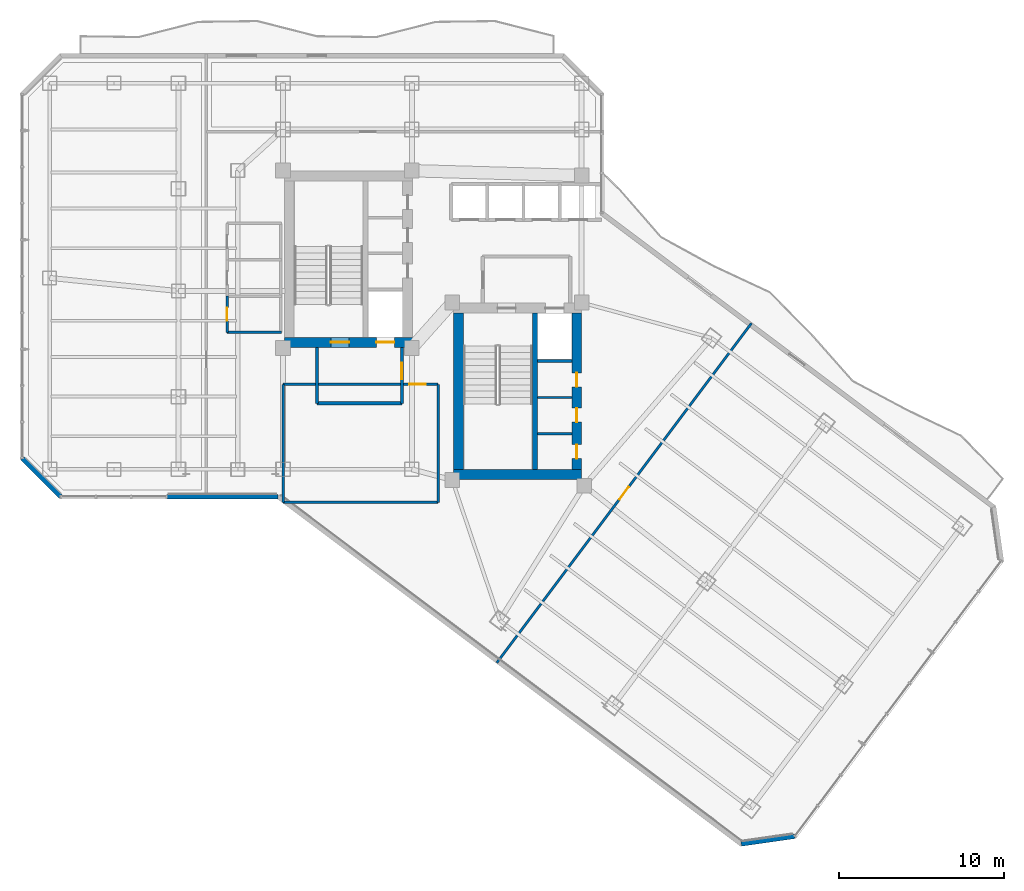
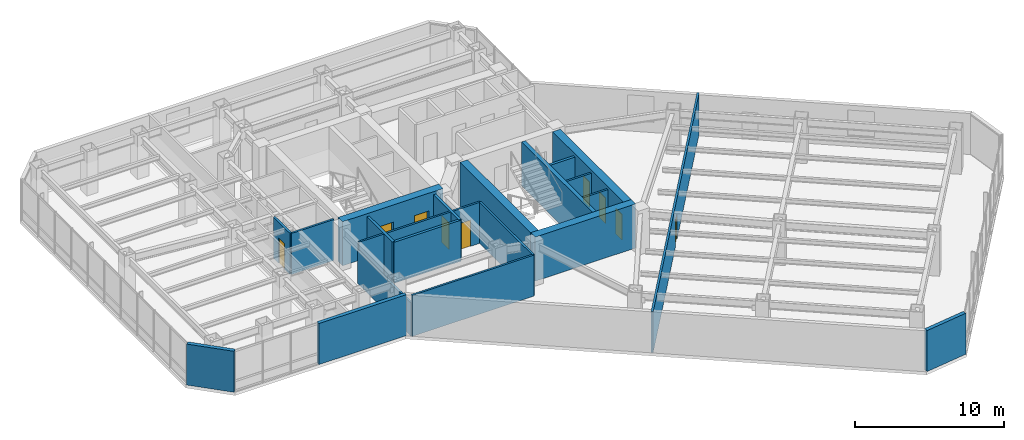
# One storey, part 22 of 29: 21 walls, 9 doors, 9 openings.
"""IFC4 building model written with IfcOpenShell, lengths in metres."""

from ifc_helpers import new_model, si_unit, direction, frame, frame_2d, origin, place, context, subcontext, project, spatial, rectangle, extrude, material, layer, layer_set, type_object, element, fill, save


model = new_model("IFC4")

# Units and contexts
model_context = context("Model", 3, precision=1e-05, world=origin(), true_north=direction((0.0, 1.0)))
body_context = subcontext(model_context, "Body", "Model", "MODEL_VIEW")
ifc_project = project(units=[si_unit("LENGTHUNIT", "METRE"), si_unit("AREAUNIT", "SQUARE_METRE"), si_unit("VOLUMEUNIT", "CUBIC_METRE"), si_unit("PLANEANGLEUNIT", "RADIAN"), si_unit("MASSUNIT", "GRAM", prefix="KILO")], contexts=[model_context])

# Site, building, storey
site_placement = place(None, origin())
site = spatial("IfcSite", under=ifc_project, at=site_placement, CompositionType="ELEMENT")
building_placement = place(site_placement, origin())
building = spatial("IfcBuilding", under=site, at=building_placement, Name="Hatsunagi Terrace Concourse", CompositionType="ELEMENT")
storey_placement = place(building_placement, frame((0.0, 0.0, 104.85009765625)))
storey = spatial("IfcBuildingStorey", under=building, at=storey_placement, Name="L27", CompositionType="ELEMENT", Elevation=104.85009765625)

# Wall, openings, doors
ifc_material_1 = material(Name="Concrete Fc48", Category="concrete")
ifc_layer_1 = layer(ifc_material_1, 0.60009765625)
ifc_layer_set_1 = layer_set([ifc_layer_1], Name="CoreShearWall_Fc48_600")
wall_type_1 = type_object("IfcWallType", Name="CoreShearWall_Fc48_600", PredefinedType="SHEAR", material=ifc_layer_set_1)
wall_1_placement = place(storey_placement, frame((25.6201171875, 32.889892578125, 0.0), z_axis=(0.0, 0.0, 1.0), x_axis=(1.0, 0.0, 0.0)))
wall_1 = element("IfcWall", 1, at=wall_1_placement, inside=storey, type_object=wall_type_1, Name="Core A Shear Wall S L27", PredefinedType="SHEAR", context=body_context, shape_type="SweptSolid", body=[
    extrude(rectangle(XDim=7.77978515625, YDim=0.60009765625, at=frame_2d((3.889892578125, 0.0))), origin(), (0.0, 0.0, 1.0), 3.599853515625),
])
opening_1_placement = place(wall_1_placement, frame((2.830078125, 0.0, 0.0)))
opening_1 = element("IfcOpeningElement", 2, at=opening_1_placement, cuts=wall_1, Name="Opening DR-110S", PredefinedType="OPENING", context=body_context, shape_type="SweptSolid", body=[
    extrude(rectangle(XDim=1.10009765625, YDim=2.199951171875, at=frame_2d((0.550048828125, 1.10009765625))), frame((0.0, 0.31005859375, 0.0), z_axis=(0.0, -1.0, 0.0), x_axis=(1.0, 0.0, 0.0)), (0.0, 0.0, 1.0), 0.6201171875),
])
opening_2_placement = place(wall_1_placement, frame((5.580078125, 0.0, 0.0)))
opening_2 = element("IfcOpeningElement", 3, at=opening_2_placement, cuts=wall_1, Name="Opening LD-01", PredefinedType="OPENING", context=body_context, shape_type="SweptSolid", body=[
    extrude(rectangle(XDim=1.10009765625, YDim=2.14990234375, at=frame_2d((0.550048828125, 1.074951171875))), frame((0.0, 0.31005859375, 0.0), z_axis=(0.0, -1.0, 0.0), x_axis=(1.0, 0.0, 0.0)), (0.0, 0.0, 1.0), 0.6201171875),
])
ifc_material_2 = material(Name="Stainless steel", Category="steel")
door_type_1 = type_object("IfcDoorType", Name="LiftLandingDoor_LD01", OperationType="SLIDING_TO_LEFT", PredefinedType="USERDEFINED", material=ifc_material_2)
door_1_placement = place(opening_2_placement, origin())
door_1 = element("IfcDoor", 4, at=door_1_placement, inside=storey, type_object=door_type_1, Name="Lift landing door FF-01 L27", ObjectType="SLIDING_LANDING_DOOR", OperationType="SLIDING_TO_LEFT", OverallHeight=2.14990234375, OverallWidth=1.10009765625, PredefinedType="USERDEFINED", context=body_context, shape_type="SweptSolid", body=[
    extrude(rectangle(XDim=1.10009765625, YDim=2.14990234375, at=frame_2d((0.550048828125, 1.074951171875))), frame((0.0, 0.02490234375, 0.0), z_axis=(0.0, -1.0, 0.0), x_axis=(1.0, 0.0, 0.0)), (0.0, 0.0, 1.0), 0.050048828125),
])
fill(opening_2, door_1)
ifc_material_3 = material(Name="Painted steel", Category="steel")
door_type_2 = type_object("IfcDoorType", Name="StairFireDoor_EI60_1100", OperationType="NOTDEFINED", PredefinedType="DOOR", material=ifc_material_3)
door_2_placement = place(opening_1_placement, origin())
door_2 = element("IfcDoor", 5, at=door_2_placement, inside=storey, type_object=door_type_2, Name="Stair ST-A Exit Door L27", OperationType="SINGLE_SWING_LEFT", OverallHeight=2.199951171875, OverallWidth=1.10009765625, PredefinedType="DOOR", context=body_context, shape_type="SweptSolid", body=[
    extrude(rectangle(XDim=1.10009765625, YDim=2.199951171875, at=frame_2d((0.550048828125, 1.10009765625))), frame((0.0, 0.02490234375, 0.0), z_axis=(0.0, -1.0, 0.0), x_axis=(1.0, 0.0, 0.0)), (0.0, 0.0, 1.0), 0.050048828125),
])
fill(opening_1, door_2)

# Walls
wall_2_placement = place(storey_placement, frame((35.889892578125, 24.889892578125, 0.0), z_axis=(0.0, 0.0, 1.0), x_axis=(1.0, 0.0, 0.0)))
element("IfcWall", 6, at=wall_2_placement, inside=storey, type_object=wall_type_1, Name="Core B Shear Wall S L27", PredefinedType="SHEAR", context=body_context, shape_type="SweptSolid", body=[
    extrude(rectangle(XDim=7.760009765625, YDim=0.60009765625, at=frame_2d((3.8798828125, 0.0))), origin(), (0.0, 0.0, 1.0), 3.599853515625),
])
wall_3_placement = place(storey_placement, frame((36.18994140625, 25.18994140625, 0.0), z_axis=(0.0, 0.0, 1.0), x_axis=(0.0, 1.0, 0.0)))
element("IfcWall", 7, at=wall_3_placement, inside=storey, type_object=wall_type_1, Name="Core B Shear Wall W L27", PredefinedType="SHEAR", context=body_context, shape_type="SweptSolid", body=[
    extrude(rectangle(XDim=9.47998046875, YDim=0.60009765625, at=frame_2d((4.739990234375, 0.0))), origin(), (0.0, 0.0, 1.0), 3.599853515625),
])

# Wall, openings, doors
wall_4_placement = place(storey_placement, frame((43.35009765625, 25.18994140625, 0.0), z_axis=(0.0, 0.0, 1.0), x_axis=(0.0, 1.0, 0.0)))
wall_4 = element("IfcWall", 8, at=wall_4_placement, inside=storey, type_object=wall_type_1, Name="Core B Shear Wall E L27", PredefinedType="SHEAR", context=body_context, shape_type="SweptSolid", body=[
    extrude(rectangle(XDim=9.47998046875, YDim=0.60009765625, at=frame_2d((4.739990234375, 0.0))), origin(), (0.0, 0.0, 1.0), 3.599853515625),
])
opening_3_placement = place(wall_4_placement, frame((0.659912109375, 0.0, 0.0)))
opening_3 = element("IfcOpeningElement", 9, at=opening_3_placement, cuts=wall_4, Name="Opening DR-085", PredefinedType="OPENING", context=body_context, shape_type="SweptSolid", body=[
    extrude(rectangle(XDim=0.85009765625, YDim=2.080078125, at=frame_2d((0.425048828125, 1.0400390625))), frame((0.0, 0.31005859375, 0.0), z_axis=(0.0, -1.0, 0.0), x_axis=(1.0, 0.0, 0.0)), (0.0, 0.0, 1.0), 0.6201171875),
])
opening_4_placement = place(wall_4_placement, frame((2.860107421875, 0.0, 0.0)))
opening_4 = element("IfcOpeningElement", 10, at=opening_4_placement, cuts=wall_4, Name="Opening DR-085", PredefinedType="OPENING", context=body_context, shape_type="SweptSolid", body=[
    extrude(rectangle(XDim=0.85009765625, YDim=2.080078125, at=frame_2d((0.425048828125, 1.0400390625))), frame((0.0, 0.31005859375, 0.0), z_axis=(0.0, -1.0, 0.0), x_axis=(1.0, 0.0, 0.0)), (0.0, 0.0, 1.0), 0.6201171875),
])
opening_5_placement = place(wall_4_placement, frame((5.010009765625, 0.0, 0.0)))
opening_5 = element("IfcOpeningElement", 11, at=opening_5_placement, cuts=wall_4, Name="Opening DR-085", PredefinedType="OPENING", context=body_context, shape_type="SweptSolid", body=[
    extrude(rectangle(XDim=0.85009765625, YDim=2.080078125, at=frame_2d((0.425048828125, 1.0400390625))), frame((0.0, 0.31005859375, 0.0), z_axis=(0.0, -1.0, 0.0), x_axis=(1.0, 0.0, 0.0)), (0.0, 0.0, 1.0), 0.6201171875),
])
ifc_material_4 = material(Name="Painted steel", Category="steel")
door_type_3 = type_object("IfcDoorType", Name="RiserAccessDoor_EI60_850", OperationType="NOTDEFINED", PredefinedType="DOOR", material=ifc_material_4)
door_3_placement = place(opening_3_placement, origin())
door_3 = element("IfcDoor", 12, at=door_3_placement, inside=storey, type_object=door_type_3, Name="Core B Riser Door L27-1", OperationType="SINGLE_SWING_RIGHT", OverallHeight=2.080078125, OverallWidth=0.85009765625, PredefinedType="DOOR", context=body_context, shape_type="SweptSolid", body=[
    extrude(rectangle(XDim=0.85009765625, YDim=2.080078125, at=frame_2d((0.425048828125, 1.0400390625))), frame((0.0, 0.02490234375, 0.0), z_axis=(0.0, -1.0, 0.0), x_axis=(1.0, 0.0, 0.0)), (0.0, 0.0, 1.0), 0.050048828125),
])
fill(opening_3, door_3)
door_4_placement = place(opening_4_placement, origin())
door_4 = element("IfcDoor", 13, at=door_4_placement, inside=storey, type_object=door_type_3, Name="Core B Riser Door L27-2", OperationType="SINGLE_SWING_RIGHT", OverallHeight=2.080078125, OverallWidth=0.85009765625, PredefinedType="DOOR", context=body_context, shape_type="SweptSolid", body=[
    extrude(rectangle(XDim=0.85009765625, YDim=2.080078125, at=frame_2d((0.425048828125, 1.0400390625))), frame((0.0, 0.02490234375, 0.0), z_axis=(0.0, -1.0, 0.0), x_axis=(1.0, 0.0, 0.0)), (0.0, 0.0, 1.0), 0.050048828125),
])
fill(opening_4, door_4)
door_5_placement = place(opening_5_placement, origin())
door_5 = element("IfcDoor", 14, at=door_5_placement, inside=storey, type_object=door_type_3, Name="Core B Riser Door L27-3", OperationType="SINGLE_SWING_RIGHT", OverallHeight=2.080078125, OverallWidth=0.85009765625, PredefinedType="DOOR", context=body_context, shape_type="SweptSolid", body=[
    extrude(rectangle(XDim=0.85009765625, YDim=2.080078125, at=frame_2d((0.425048828125, 1.0400390625))), frame((0.0, 0.02490234375, 0.0), z_axis=(0.0, -1.0, 0.0), x_axis=(1.0, 0.0, 0.0)), (0.0, 0.0, 1.0), 0.050048828125),
])
fill(opening_5, door_5)

# Walls
ifc_material_5 = material(Name="Concrete Fc48", Category="concrete")
ifc_layer_2 = layer(ifc_material_5, 0.300048828125)
ifc_layer_set_2 = layer_set([ifc_layer_2], Name="CoreStairDivider_Fc48_300")
wall_type_2 = type_object("IfcWallType", Name="CoreStairDivider_Fc48_300", PredefinedType="SHEAR", material=ifc_layer_set_2)
wall_5_placement = place(storey_placement, frame((40.81005859375, 25.18994140625, 0.0), z_axis=(0.0, 0.0, 1.0), x_axis=(0.0, 1.0, 0.0)))
element("IfcWall", 15, at=wall_5_placement, inside=storey, type_object=wall_type_2, Name="Core B Shear Wall D L27", PredefinedType="SHEAR", context=body_context, shape_type="SweptSolid", body=[
    extrude(rectangle(XDim=9.47998046875, YDim=0.300048828125, at=frame_2d((4.739990234375, 0.0))), origin(), (0.0, 0.0, 1.0), 3.599853515625),
])
ifc_material_6 = material(Name="Acoustic mineral board", Category="gypsum")
ifc_layer_3 = layer(ifc_material_6, 0.14990234375)
ifc_layer_set_3 = layer_set([ifc_layer_3], Name="PartitionWall_EI60_150")
wall_type_3 = type_object("IfcWallType", Name="PartitionWall_EI60_150", PredefinedType="PARTITIONING", material=ifc_layer_set_3)
for number, where, z_axis, x_axis, name in (
    (16, (40.969970703125, 27.35009765625, 0.0), (0.0, 0.0, 1.0), (1.0, 0.0, 0.0), "Interior Partition IW-L27-005"),
    (17, (40.969970703125, 29.550048828125, 0.0), (0.0, 0.0, 1.0), (1.0, 0.0, 0.0), "Interior Partition IW-L27-006"),
):
    element("IfcWall", number, at=place(storey_placement, frame(where, z_axis=z_axis, x_axis=x_axis)), inside=storey, type_object=wall_type_3, Name=name, PredefinedType="PARTITIONING", context=body_context, shape_type="SweptSolid", body=[
        extrude(rectangle(XDim=2.080078125, YDim=0.14990234375, at=frame_2d((1.0400390625, 0.0))), origin(), (0.0, 0.0, 1.0), 3.349853515625),
    ])
wall_6_placement = place(storey_placement, frame((22.14990234375, 33.5, 0.0), z_axis=(0.0, 0.0, 1.0), x_axis=(1.0, 0.0, 0.0)))
element("IfcWall", 18, at=wall_6_placement, inside=storey, type_object=wall_type_3, Name="Interior Partition IW-L27-019", PredefinedType="PARTITIONING", context=body_context, shape_type="SweptSolid", body=[
    extrude(rectangle(XDim=3.300048828125, YDim=0.14990234375, at=frame_2d((1.64990234375, 0.0))), origin(), (0.0, 0.0, 1.0), 3.349853515625),
])

# Wall, opening, door
wall_7_placement = place(storey_placement, frame((22.14990234375, 33.5, 0.0), z_axis=(0.0, 0.0, 1.0), x_axis=(0.0, 1.0, 0.0)))
wall_7 = element("IfcWall", 19, at=wall_7_placement, inside=storey, type_object=wall_type_3, Name="Interior Partition IW-L27-024", PredefinedType="PARTITIONING", context=body_context, shape_type="SweptSolid", body=[
    extrude(rectangle(XDim=2.199951171875, YDim=0.14990234375, at=frame_2d((1.10009765625, 0.0))), origin(), (0.0, 0.0, 1.0), 3.349853515625),
])
opening_6_placement = place(wall_7_placement, frame((0.699951171875, 0.0, 0.0)))
opening_6 = element("IfcOpeningElement", 20, at=opening_6_placement, cuts=wall_7, Name="Opening DR-080", PredefinedType="OPENING", context=body_context, shape_type="SweptSolid", body=[
    extrude(rectangle(XDim=0.800048828125, YDim=2.06005859375, at=frame_2d((0.39990234375, 1.030029296875))), frame((0.0, 0.0849609375, 0.0), z_axis=(0.0, -1.0, 0.0), x_axis=(1.0, 0.0, 0.0)), (0.0, 0.0, 1.0), 0.169921875),
])
ifc_material_7 = material(Name="Hardwood timber", Category="wood")
door_type_4 = type_object("IfcDoorType", Name="BathroomDoor_800", OperationType="NOTDEFINED", PredefinedType="DOOR", material=ifc_material_7)
door_6_placement = place(opening_6_placement, origin())
door_6 = element("IfcDoor", 21, at=door_6_placement, inside=storey, type_object=door_type_4, Name="Accessible WC Door L27", OperationType="SINGLE_SWING_RIGHT", OverallHeight=2.06005859375, OverallWidth=0.800048828125, PredefinedType="DOOR", context=body_context, shape_type="SweptSolid", body=[
    extrude(rectangle(XDim=0.800048828125, YDim=2.06005859375, at=frame_2d((0.39990234375, 1.030029296875))), frame((0.0, 0.02490234375, 0.0), z_axis=(0.0, -1.0, 0.0), x_axis=(1.0, 0.0, 0.0)), (0.0, 0.0, 1.0), 0.050048828125),
])
fill(opening_6, door_6)

# Wall
wall_8_placement = place(storey_placement, frame((25.550048828125, 23.199951171875, 0.0), z_axis=(0.0, 0.0, 1.0), x_axis=(1.0, 0.0, 0.0)))
element("IfcWall", 22, at=wall_8_placement, inside=storey, type_object=wall_type_3, Name="Interior Partition IW-L27-027", PredefinedType="PARTITIONING", context=body_context, shape_type="SweptSolid", body=[
    extrude(rectangle(XDim=9.39990234375, YDim=0.14990234375, at=frame_2d((4.699951171875, 0.0))), origin(), (0.0, 0.0, 1.0), 3.349853515625),
])

# Wall, opening, door
wall_9_placement = place(storey_placement, frame((25.550048828125, 30.35009765625, 0.0), z_axis=(0.0, 0.0, 1.0), x_axis=(1.0, 0.0, 0.0)))
wall_9 = element("IfcWall", 23, at=wall_9_placement, inside=storey, type_object=wall_type_3, Name="Interior Partition IW-L27-028", PredefinedType="PARTITIONING", context=body_context, shape_type="SweptSolid", body=[
    extrude(rectangle(XDim=9.39990234375, YDim=0.14990234375, at=frame_2d((4.699951171875, 0.0))), origin(), (0.0, 0.0, 1.0), 3.349853515625),
])
opening_7_placement = place(wall_9_placement, frame((7.637939453125, 0.0, 0.0)))
opening_7 = element("IfcOpeningElement", 24, at=opening_7_placement, cuts=wall_9, Name="Opening DR-100S", PredefinedType="OPENING", context=body_context, shape_type="SweptSolid", body=[
    extrude(rectangle(XDim=1.0, YDim=2.14990234375, at=frame_2d((0.5, 1.074951171875))), frame((0.0, 0.0849609375, 0.0), z_axis=(0.0, -1.0, 0.0), x_axis=(1.0, 0.0, 0.0)), (0.0, 0.0, 1.0), 0.169921875),
])
ifc_material_8 = material(Name="Hardwood timber", Category="wood")
door_type_5 = type_object("IfcDoorType", Name="SuiteDoor_EI30_1000", OperationType="NOTDEFINED", PredefinedType="DOOR", material=ifc_material_8)
door_7_placement = place(opening_7_placement, origin())
door_7 = element("IfcDoor", 25, at=door_7_placement, inside=storey, type_object=door_type_5, Name="Design Studio L27-RECL1 Door", OperationType="SINGLE_SWING_RIGHT", OverallHeight=2.14990234375, OverallWidth=1.0, PredefinedType="DOOR", context=body_context, shape_type="SweptSolid", body=[
    extrude(rectangle(XDim=1.0, YDim=2.14990234375, at=frame_2d((0.5, 1.074951171875))), frame((0.0, 0.02490234375, 0.0), z_axis=(0.0, -1.0, 0.0), x_axis=(1.0, 0.0, 0.0)), (0.0, 0.0, 1.0), 0.050048828125),
])
fill(opening_7, door_7)

# Walls
wall_10_placement = place(storey_placement, frame((25.550048828125, 23.199951171875, 0.0), z_axis=(0.0, 0.0, 1.0), x_axis=(0.0, 1.0, 0.0)))
element("IfcWall", 26, at=wall_10_placement, inside=storey, type_object=wall_type_3, Name="Interior Partition IW-L27-029", PredefinedType="PARTITIONING", context=body_context, shape_type="SweptSolid", body=[
    extrude(rectangle(XDim=7.150146484375, YDim=0.14990234375, at=frame_2d((3.5751953125, 0.0))), origin(), (0.0, 0.0, 1.0), 2.69482421875),
])
wall_11_placement = place(storey_placement, frame((34.949951171875, 23.199951171875, 0.0), z_axis=(0.0, 0.0, 1.0), x_axis=(0.0, 1.0, 0.0)))
element("IfcWall", 27, at=wall_11_placement, inside=storey, type_object=wall_type_3, Name="Interior Partition IW-L27-030", PredefinedType="PARTITIONING", context=body_context, shape_type="SweptSolid", body=[
    extrude(rectangle(XDim=7.150146484375, YDim=0.14990234375, at=frame_2d((3.5751953125, 0.0))), origin(), (0.0, 0.0, 1.0), 3.349853515625),
])

# Wall, opening, door
wall_12_placement = place(storey_placement, frame((38.50390625, 13.471923828125, 0.0), z_axis=(0.0, 0.0, 1.0), x_axis=(0.6, 0.8, 0.0)))
wall_12 = element("IfcWall", 28, at=wall_12_placement, inside=storey, type_object=wall_type_3, Name="Interior Partition IW-L27-033", PredefinedType="PARTITIONING", context=body_context, shape_type="SweptSolid", body=[
    extrude(rectangle(XDim=25.72021484375, YDim=0.14990234375, at=frame_2d((12.860107421875, 0.0))), origin(), (0.0, 0.0, 1.0), 3.349853515625),
])
opening_8_placement = place(wall_12_placement, frame((12.385009765625, 0.0, 0.0)))
opening_8 = element("IfcOpeningElement", 29, at=opening_8_placement, cuts=wall_12, Name="Opening DR-095", PredefinedType="OPENING", context=body_context, shape_type="SweptSolid", body=[
    extrude(rectangle(XDim=0.949951171875, YDim=2.14990234375, at=frame_2d((0.47509765625, 1.074951171875))), frame((0.0, 0.0849609375, 0.0), z_axis=(0.0, -1.0, 0.0), x_axis=(1.0, 0.0, 0.0)), (0.0, 0.0, 1.0), 0.169921875),
])
ifc_material_9 = material(Name="Hardwood timber", Category="wood")
door_type_6 = type_object("IfcDoorType", Name="InteriorSuiteDoor_EI30_950", OperationType="NOTDEFINED", PredefinedType="DOOR", material=ifc_material_9)
door_8_placement = place(opening_8_placement, origin())
door_8 = element("IfcDoor", 30, at=door_8_placement, inside=storey, type_object=door_type_6, Name="Design Studio L27-OSE1 Door", OperationType="SINGLE_SWING_RIGHT", OverallHeight=2.14990234375, OverallWidth=0.949951171875, PredefinedType="DOOR", context=body_context, shape_type="SweptSolid", body=[
    extrude(rectangle(XDim=0.949951171875, YDim=2.14990234375, at=frame_2d((0.47509765625, 1.074951171875))), frame((0.0, 0.02490234375, 0.0), z_axis=(0.0, -1.0, 0.0), x_axis=(1.0, 0.0, 0.0)), (0.0, 0.0, 1.0), 0.050048828125),
])
fill(opening_8, door_8)

# Walls
ifc_material_10 = material(Name="Acoustic mineral board", Category="gypsum")
ifc_layer_4 = layer(ifc_material_10, 0.199951171875)
ifc_layer_set_4 = layer_set([ifc_layer_4], Name="ShaftWall_EI120_200")
wall_type_4 = type_object("IfcWallType", Name="ShaftWall_EI120_200", PredefinedType="STANDARD", material=ifc_layer_set_4)
wall_13_placement = place(storey_placement, frame((40.969970703125, 31.760009765625, 0.0), z_axis=(0.0, 0.0, 1.0), x_axis=(1.0, 0.0, 0.0)))
element("IfcWall", 31, at=wall_13_placement, inside=storey, type_object=wall_type_4, Name="Interior Partition IW-L27-004", PredefinedType="STANDARD", context=body_context, shape_type="SweptSolid", body=[
    extrude(rectangle(XDim=2.080078125, YDim=0.199951171875, at=frame_2d((1.0400390625, 0.0))), origin(), (0.0, 0.0, 1.0), 3.349853515625),
])
wall_14_placement = place(storey_placement, frame((27.60009765625, 29.199951171875, 0.0), z_axis=(0.0, 0.0, 1.0), x_axis=(1.0, 0.0, 0.0)))
element("IfcWall", 32, at=wall_14_placement, inside=storey, type_object=wall_type_4, Name="Interior Partition IW-L27-007", PredefinedType="STANDARD", context=body_context, shape_type="SweptSolid", body=[
    extrude(rectangle(XDim=5.14990234375, YDim=0.199951171875, at=frame_2d((2.574951171875, 0.0))), origin(), (0.0, 0.0, 1.0), 3.349853515625),
])
wall_15_placement = place(storey_placement, frame((27.60009765625, 29.199951171875, 0.0), z_axis=(0.0, 0.0, 1.0), x_axis=(0.0, 1.0, 0.0)))
element("IfcWall", 33, at=wall_15_placement, inside=storey, type_object=wall_type_4, Name="Interior Partition IW-L27-008", PredefinedType="STANDARD", context=body_context, shape_type="SweptSolid", body=[
    extrude(rectangle(XDim=3.39013671875, YDim=0.199951171875, at=frame_2d((1.695068359375, 0.0))), origin(), (0.0, 0.0, 1.0), 3.349853515625),
])

# Wall, opening, door
wall_16_placement = place(storey_placement, frame((32.75, 29.199951171875, 0.0), z_axis=(0.0, 0.0, 1.0), x_axis=(0.0, 1.0, 0.0)))
wall_16 = element("IfcWall", 34, at=wall_16_placement, inside=storey, type_object=wall_type_4, Name="Interior Partition IW-L27-009", PredefinedType="STANDARD", context=body_context, shape_type="SweptSolid", body=[
    extrude(rectangle(XDim=3.39013671875, YDim=0.199951171875, at=frame_2d((1.695068359375, 0.0))), origin(), (0.0, 0.0, 1.0), 3.349853515625),
])
opening_9_placement = place(wall_16_placement, frame((1.449951171875, 0.0, 0.0)))
opening_9 = element("IfcOpeningElement", 35, at=opening_9_placement, cuts=wall_16, Name="Opening DR-100F", PredefinedType="OPENING", context=body_context, shape_type="SweptSolid", body=[
    extrude(rectangle(XDim=1.0, YDim=2.199951171875, at=frame_2d((0.5, 1.10009765625))), frame((0.0, 0.10986328125, 0.0), z_axis=(0.0, -1.0, 0.0), x_axis=(1.0, 0.0, 0.0)), (0.0, 0.0, 1.0), 0.219970703125),
])
ifc_material_11 = material(Name="Painted steel", Category="steel")
door_type_7 = type_object("IfcDoorType", Name="FireDoor_EI60_1000", OperationType="NOTDEFINED", PredefinedType="DOOR", material=ifc_material_11)
door_9_placement = place(opening_9_placement, origin())
door_9 = element("IfcDoor", 36, at=door_9_placement, inside=storey, type_object=door_type_7, Name="Firefighting Lobby A Door L27", OperationType="SINGLE_SWING_RIGHT", OverallHeight=2.199951171875, OverallWidth=1.0, PredefinedType="DOOR", context=body_context, shape_type="SweptSolid", body=[
    extrude(rectangle(XDim=1.0, YDim=2.199951171875, at=frame_2d((0.5, 1.10009765625))), frame((0.0, 0.02490234375, 0.0), z_axis=(0.0, -1.0, 0.0), x_axis=(1.0, 0.0, 0.0)), (0.0, 0.0, 1.0), 0.050048828125),
])
fill(opening_9, door_9)

# Walls
ifc_material_12 = material(Name="Autoclaved Lightweight Concrete and Terracotta Cladding", Category="masonry")
ifc_layer_5 = layer(ifc_material_12, 0.280029296875)
ifc_layer_set_5 = layer_set([ifc_layer_5], Name="TerracottaSpandrelWall_280")
wall_type_5 = type_object("IfcWallType", Name="TerracottaSpandrelWall_280", PredefinedType="STANDARD", material=ifc_layer_set_5)
wall_17_placement = place(storey_placement, frame((56.56298828125, 2.949951171875, 0.0), z_axis=(0.0, 0.0, 1.0), x_axis=(-0.989977778067, -0.141223223777, 0.0)))
element("IfcWall", 37, at=wall_17_placement, inside=storey, type_object=wall_type_5, Name="Exterior Spandrel Wall EW-L27-04", PredefinedType="STANDARD", context=body_context, shape_type="SweptSolid", body=[
    extrude(rectangle(XDim=3.27783203125, YDim=0.280029296875, at=frame_2d((1.638916015625, 0.0))), origin(), (0.0, 0.0, 1.0), 3.349853515625),
])
wall_18_placement = place(storey_placement, frame((25.2470703125, 23.5400390625, 0.0), z_axis=(0.0, 0.0, 1.0), x_axis=(-1.0, 0.0, 0.0)))
element("IfcWall", 38, at=wall_18_placement, inside=storey, type_object=wall_type_5, Name="Exterior Spandrel Wall EW-L27-06", PredefinedType="STANDARD", context=body_context, shape_type="SweptSolid", body=[
    extrude(rectangle(XDim=6.7470703125, YDim=0.280029296875, at=frame_2d((3.37353515625, 0.0))), origin(), (0.0, 0.0, 1.0), 3.349853515625),
])
wall_19_placement = place(storey_placement, frame((12.05810546875, 23.5400390625, 0.0), z_axis=(0.0, 0.0, 1.0), x_axis=(-0.707144017911, 0.707069542501, 0.0)))
element("IfcWall", 39, at=wall_19_placement, inside=storey, type_object=wall_type_5, Name="Exterior Spandrel Wall EW-L27-08", PredefinedType="STANDARD", context=body_context, shape_type="SweptSolid", body=[
    extrude(rectangle(XDim=3.278076171875, YDim=0.280029296875, at=frame_2d((1.63916015625, 0.0))), origin(), (0.0, 0.0, 1.0), 3.349853515625),
])

save(model, "model.ifc")
